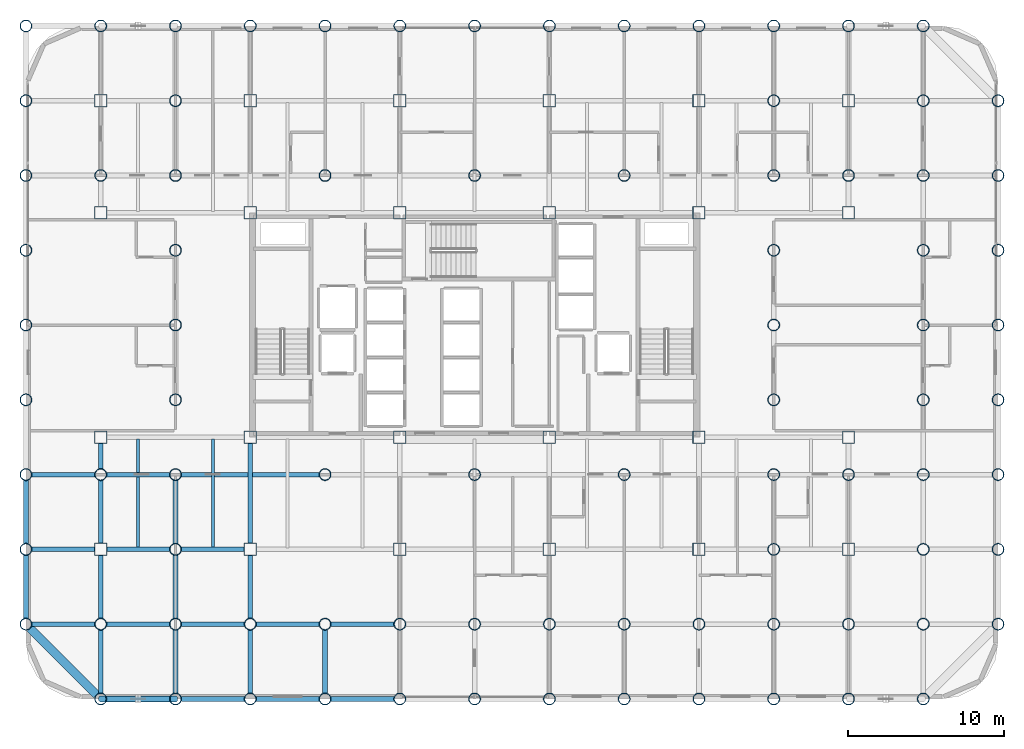
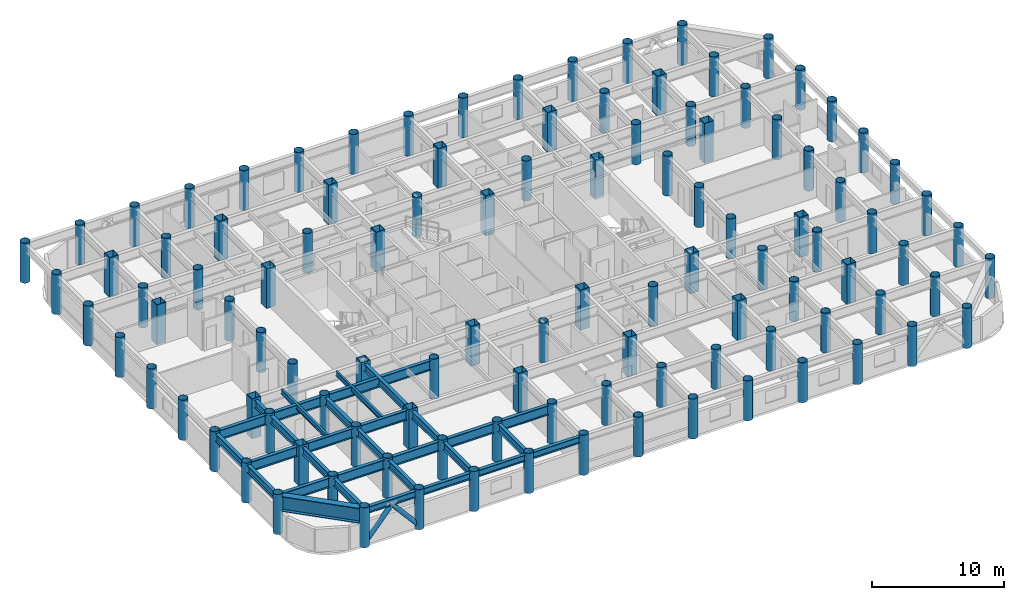
# One storey, part 1 of 20: 108 columns, 31 beams, 2 members.
"""IFC4 building model written with IfcOpenShell, lengths in metres."""

from ifc_helpers import new_model, si_unit, direction, frame, origin, origin_2d, place, context, subcontext, project, spatial, hollow_rectangle, hollow_circle, i_section, extrude, material, material_profile, profile_set, type_object, element, save


model = new_model("IFC4")

# Units and contexts
model_context = context("Model", 3, precision=1e-05, world=origin(), true_north=direction((0.0, 1.0)))
body_context = subcontext(model_context, "Body", "Model", "MODEL_VIEW")
ifc_project = project(units=[si_unit("LENGTHUNIT", "METRE"), si_unit("AREAUNIT", "SQUARE_METRE"), si_unit("VOLUMEUNIT", "CUBIC_METRE"), si_unit("PLANEANGLEUNIT", "RADIAN"), si_unit("MASSUNIT", "GRAM", prefix="KILO")], contexts=[model_context])

# Site, building, storey
site_placement = place(None, origin())
site = spatial("IfcSite", under=ifc_project, at=site_placement, CompositionType="ELEMENT")
building_placement = place(site_placement, origin())
building = spatial("IfcBuilding", under=site, at=building_placement, Name="Kallvorn Hotel Tower", CompositionType="ELEMENT")
storey_placement = place(building_placement, frame((0.0, 0.0, 78.10009765625)))
storey = spatial("IfcBuildingStorey", under=building, at=storey_placement, Name="L18", CompositionType="ELEMENT", Elevation=78.10009765625)

# Columns
ifc_material_1 = material(Name="Structural steel S355J2H", Category="steel")
ifc_material_profile_1 = material_profile(ifc_material_1, hollow_circle(Radius=0.381103515625, WallThickness=0.031982421875, at=origin_2d()), Name="CHS 762x32")
ifc_profile_set_1 = profile_set([ifc_material_profile_1], Name="Structural steel S355J2H")
column_type_1 = type_object("IfcColumnType", Name="COL_CHS_762", PredefinedType="COLUMN", material=ifc_profile_set_1)
for number, where, z_axis, x_axis, name in (
    (1, (-28.800048828125, -19.199951171875, 0.0), (0.0, 0.0, 1.0), (1.0, 0.0, 0.0), "L18 Exoskeleton Column EC01"),
    (2, (-28.800048828125, -14.39990234375, 0.0), (0.0, 0.0, 1.0), (1.0, 0.0, 0.0), "L18 Exoskeleton Column EC02"),
    (3, (-28.800048828125, -9.60009765625, 0.0), (0.0, 0.0, 1.0), (1.0, 0.0, 0.0), "L18 Exoskeleton Column EC03"),
    (4, (-28.800048828125, -4.800048828125, 0.0), (0.0, 0.0, 1.0), (1.0, 0.0, 0.0), "L18 Exoskeleton Column EC04"),
    (5, (-28.800048828125, 0.0, 0.0), (0.0, 0.0, 1.0), (1.0, 0.0, 0.0), "L18 Exoskeleton Column EC05"),
    (6, (-28.800048828125, 4.800048828125, 0.0), (0.0, 0.0, 1.0), (1.0, 0.0, 0.0), "L18 Exoskeleton Column EC06"),
    (7, (-28.800048828125, 9.60009765625, 0.0), (0.0, 0.0, 1.0), (1.0, 0.0, 0.0), "L18 Exoskeleton Column EC07"),
    (8, (-28.800048828125, 14.39990234375, 0.0), (0.0, 0.0, 1.0), (1.0, 0.0, 0.0), "L18 Exoskeleton Column EC08"),
    (9, (-28.800048828125, 19.199951171875, 0.0), (0.0, 0.0, 1.0), (1.0, 0.0, 0.0), "L18 Exoskeleton Column EC09"),
    (10, (-24.0, -24.0, 0.0), (0.0, 0.0, 1.0), (1.0, 0.0, 0.0), "L18 Exoskeleton Column EC10"),
    (11, (-24.0, -19.199951171875, 0.0), (0.0, 0.0, 1.0), (1.0, 0.0, 0.0), "L18 Exoskeleton Column EC11"),
    (12, (-24.0, -9.60009765625, 0.0), (0.0, 0.0, 1.0), (1.0, 0.0, 0.0), "L18 Exoskeleton Column EC12"),
    (13, (-24.0, 9.60009765625, 0.0), (0.0, 0.0, 1.0), (1.0, 0.0, 0.0), "L18 Exoskeleton Column EC13"),
    (14, (-24.0, 19.199951171875, 0.0), (0.0, 0.0, 1.0), (1.0, 0.0, 0.0), "L18 Exoskeleton Column EC14"),
    (15, (-19.199951171875, -24.0, 0.0), (0.0, 0.0, 1.0), (1.0, 0.0, 0.0), "L18 Exoskeleton Column EC15"),
    (16, (-19.199951171875, -19.199951171875, 0.0), (0.0, 0.0, 1.0), (1.0, 0.0, 0.0), "L18 Exoskeleton Column EC16"),
    (17, (-19.199951171875, -14.39990234375, 0.0), (0.0, 0.0, 1.0), (1.0, 0.0, 0.0), "L18 Exoskeleton Column EC17"),
    (18, (-19.199951171875, -9.60009765625, 0.0), (0.0, 0.0, 1.0), (1.0, 0.0, 0.0), "L18 Exoskeleton Column EC18"),
    (19, (-19.199951171875, -4.800048828125, 0.0), (0.0, 0.0, 1.0), (1.0, 0.0, 0.0), "L18 Exoskeleton Column EC19"),
    (20, (-19.199951171875, 0.0, 0.0), (0.0, 0.0, 1.0), (1.0, 0.0, 0.0), "L18 Exoskeleton Column EC20"),
    (21, (-19.199951171875, 4.800048828125, 0.0), (0.0, 0.0, 1.0), (1.0, 0.0, 0.0), "L18 Exoskeleton Column EC21"),
    (22, (-19.199951171875, 9.60009765625, 0.0), (0.0, 0.0, 1.0), (1.0, 0.0, 0.0), "L18 Exoskeleton Column EC22"),
    (23, (-19.199951171875, 14.39990234375, 0.0), (0.0, 0.0, 1.0), (1.0, 0.0, 0.0), "L18 Exoskeleton Column EC23"),
    (24, (-19.199951171875, 19.199951171875, 0.0), (0.0, 0.0, 1.0), (1.0, 0.0, 0.0), "L18 Exoskeleton Column EC24"),
    (25, (-14.39990234375, -24.0, 0.0), (0.0, 0.0, 1.0), (1.0, 0.0, 0.0), "L18 Exoskeleton Column EC25"),
    (26, (-14.39990234375, -19.199951171875, 0.0), (0.0, 0.0, 1.0), (1.0, 0.0, 0.0), "L18 Exoskeleton Column EC26"),
    (27, (-14.39990234375, 19.199951171875, 0.0), (0.0, 0.0, 1.0), (1.0, 0.0, 0.0), "L18 Exoskeleton Column EC27"),
    (28, (-9.60009765625, -24.0, 0.0), (0.0, 0.0, 1.0), (1.0, 0.0, 0.0), "L18 Exoskeleton Column EC28"),
    (29, (-9.60009765625, -19.199951171875, 0.0), (0.0, 0.0, 1.0), (1.0, 0.0, 0.0), "L18 Exoskeleton Column EC29"),
    (30, (-9.60009765625, -9.60009765625, 0.0), (0.0, 0.0, 1.0), (1.0, 0.0, 0.0), "L18 Exoskeleton Column EC30"),
    (31, (-9.60009765625, 9.60009765625, 0.0), (0.0, 0.0, 1.0), (1.0, 0.0, 0.0), "L18 Exoskeleton Column EC31"),
    (32, (-9.60009765625, 19.199951171875, 0.0), (0.0, 0.0, 1.0), (1.0, 0.0, 0.0), "L18 Exoskeleton Column EC32"),
    (33, (-4.800048828125, -24.0, 0.0), (0.0, 0.0, 1.0), (1.0, 0.0, 0.0), "L18 Exoskeleton Column EC33"),
    (34, (-4.800048828125, -19.199951171875, 0.0), (0.0, 0.0, 1.0), (1.0, 0.0, 0.0), "L18 Exoskeleton Column EC34"),
    (35, (-4.800048828125, 19.199951171875, 0.0), (0.0, 0.0, 1.0), (1.0, 0.0, 0.0), "L18 Exoskeleton Column EC35"),
    (36, (0.0, -24.0, 0.0), (0.0, 0.0, 1.0), (1.0, 0.0, 0.0), "L18 Exoskeleton Column EC36"),
    (37, (0.0, -19.199951171875, 0.0), (0.0, 0.0, 1.0), (1.0, 0.0, 0.0), "L18 Exoskeleton Column EC37"),
    (38, (0.0, -9.60009765625, 0.0), (0.0, 0.0, 1.0), (1.0, 0.0, 0.0), "L18 Exoskeleton Column EC38"),
    (39, (0.0, 9.60009765625, 0.0), (0.0, 0.0, 1.0), (1.0, 0.0, 0.0), "L18 Exoskeleton Column EC39"),
    (40, (0.0, 19.199951171875, 0.0), (0.0, 0.0, 1.0), (1.0, 0.0, 0.0), "L18 Exoskeleton Column EC40"),
    (41, (4.800048828125, -24.0, 0.0), (0.0, 0.0, 1.0), (1.0, 0.0, 0.0), "L18 Exoskeleton Column EC41"),
    (42, (4.800048828125, -19.199951171875, 0.0), (0.0, 0.0, 1.0), (1.0, 0.0, 0.0), "L18 Exoskeleton Column EC42"),
    (43, (4.800048828125, 19.199951171875, 0.0), (0.0, 0.0, 1.0), (1.0, 0.0, 0.0), "L18 Exoskeleton Column EC43"),
    (44, (9.60009765625, -24.0, 0.0), (0.0, 0.0, 1.0), (1.0, 0.0, 0.0), "L18 Exoskeleton Column EC44"),
    (45, (9.60009765625, -19.199951171875, 0.0), (0.0, 0.0, 1.0), (1.0, 0.0, 0.0), "L18 Exoskeleton Column EC45"),
    (46, (9.60009765625, -9.60009765625, 0.0), (0.0, 0.0, 1.0), (1.0, 0.0, 0.0), "L18 Exoskeleton Column EC46"),
    (47, (9.60009765625, 9.60009765625, 0.0), (0.0, 0.0, 1.0), (1.0, 0.0, 0.0), "L18 Exoskeleton Column EC47"),
    (48, (9.60009765625, 19.199951171875, 0.0), (0.0, 0.0, 1.0), (1.0, 0.0, 0.0), "L18 Exoskeleton Column EC48"),
    (49, (14.39990234375, -24.0, 0.0), (0.0, 0.0, 1.0), (1.0, 0.0, 0.0), "L18 Exoskeleton Column EC49"),
    (50, (14.39990234375, -19.199951171875, 0.0), (0.0, 0.0, 1.0), (1.0, 0.0, 0.0), "L18 Exoskeleton Column EC50"),
    (51, (14.39990234375, 19.199951171875, 0.0), (0.0, 0.0, 1.0), (1.0, 0.0, 0.0), "L18 Exoskeleton Column EC51"),
    (52, (19.199951171875, -24.0, 0.0), (0.0, 0.0, 1.0), (1.0, 0.0, 0.0), "L18 Exoskeleton Column EC52"),
    (53, (19.199951171875, -19.199951171875, 0.0), (0.0, 0.0, 1.0), (1.0, 0.0, 0.0), "L18 Exoskeleton Column EC53"),
    (54, (19.199951171875, -14.39990234375, 0.0), (0.0, 0.0, 1.0), (1.0, 0.0, 0.0), "L18 Exoskeleton Column EC54"),
    (55, (19.199951171875, -9.60009765625, 0.0), (0.0, 0.0, 1.0), (1.0, 0.0, 0.0), "L18 Exoskeleton Column EC55"),
    (56, (19.199951171875, -4.800048828125, 0.0), (0.0, 0.0, 1.0), (1.0, 0.0, 0.0), "L18 Exoskeleton Column EC56"),
    (57, (19.199951171875, 0.0, 0.0), (0.0, 0.0, 1.0), (1.0, 0.0, 0.0), "L18 Exoskeleton Column EC57"),
    (58, (19.199951171875, 4.800048828125, 0.0), (0.0, 0.0, 1.0), (1.0, 0.0, 0.0), "L18 Exoskeleton Column EC58"),
    (59, (19.199951171875, 9.60009765625, 0.0), (0.0, 0.0, 1.0), (1.0, 0.0, 0.0), "L18 Exoskeleton Column EC59"),
    (60, (19.199951171875, 14.39990234375, 0.0), (0.0, 0.0, 1.0), (1.0, 0.0, 0.0), "L18 Exoskeleton Column EC60"),
    (61, (19.199951171875, 19.199951171875, 0.0), (0.0, 0.0, 1.0), (1.0, 0.0, 0.0), "L18 Exoskeleton Column EC61"),
    (62, (24.0, -24.0, 0.0), (0.0, 0.0, 1.0), (1.0, 0.0, 0.0), "L18 Exoskeleton Column EC62"),
    (63, (24.0, -19.199951171875, 0.0), (0.0, 0.0, 1.0), (1.0, 0.0, 0.0), "L18 Exoskeleton Column EC63"),
    (64, (24.0, -9.60009765625, 0.0), (0.0, 0.0, 1.0), (1.0, 0.0, 0.0), "L18 Exoskeleton Column EC64"),
    (65, (24.0, 9.60009765625, 0.0), (0.0, 0.0, 1.0), (1.0, 0.0, 0.0), "L18 Exoskeleton Column EC65"),
    (66, (24.0, 19.199951171875, 0.0), (0.0, 0.0, 1.0), (1.0, 0.0, 0.0), "L18 Exoskeleton Column EC66"),
    (67, (28.800048828125, -24.0, 0.0), (0.0, 0.0, 1.0), (1.0, 0.0, 0.0), "L18 Exoskeleton Column EC67"),
    (68, (28.800048828125, -19.199951171875, 0.0), (0.0, 0.0, 1.0), (1.0, 0.0, 0.0), "L18 Exoskeleton Column EC68"),
    (69, (28.800048828125, -14.39990234375, 0.0), (0.0, 0.0, 1.0), (1.0, 0.0, 0.0), "L18 Exoskeleton Column EC69"),
    (70, (28.800048828125, -9.60009765625, 0.0), (0.0, 0.0, 1.0), (1.0, 0.0, 0.0), "L18 Exoskeleton Column EC70"),
    (71, (28.800048828125, -4.800048828125, 0.0), (0.0, 0.0, 1.0), (1.0, 0.0, 0.0), "L18 Exoskeleton Column EC71"),
    (72, (28.800048828125, 0.0, 0.0), (0.0, 0.0, 1.0), (1.0, 0.0, 0.0), "L18 Exoskeleton Column EC72"),
    (73, (28.800048828125, 4.800048828125, 0.0), (0.0, 0.0, 1.0), (1.0, 0.0, 0.0), "L18 Exoskeleton Column EC73"),
    (74, (28.800048828125, 9.60009765625, 0.0), (0.0, 0.0, 1.0), (1.0, 0.0, 0.0), "L18 Exoskeleton Column EC74"),
    (75, (28.800048828125, 14.39990234375, 0.0), (0.0, 0.0, 1.0), (1.0, 0.0, 0.0), "L18 Exoskeleton Column EC75"),
    (76, (28.800048828125, 19.199951171875, 0.0), (0.0, 0.0, 1.0), (1.0, 0.0, 0.0), "L18 Exoskeleton Column EC76"),
    (77, (33.60009765625, -19.199951171875, 0.0), (0.0, 0.0, 1.0), (1.0, 0.0, 0.0), "L18 Exoskeleton Column EC77"),
    (78, (33.60009765625, -14.39990234375, 0.0), (0.0, 0.0, 1.0), (1.0, 0.0, 0.0), "L18 Exoskeleton Column EC78"),
    (79, (33.60009765625, -9.60009765625, 0.0), (0.0, 0.0, 1.0), (1.0, 0.0, 0.0), "L18 Exoskeleton Column EC79"),
    (80, (33.60009765625, -4.800048828125, 0.0), (0.0, 0.0, 1.0), (1.0, 0.0, 0.0), "L18 Exoskeleton Column EC80"),
    (81, (33.60009765625, 0.0, 0.0), (0.0, 0.0, 1.0), (1.0, 0.0, 0.0), "L18 Exoskeleton Column EC81"),
    (82, (33.60009765625, 4.800048828125, 0.0), (0.0, 0.0, 1.0), (1.0, 0.0, 0.0), "L18 Exoskeleton Column EC82"),
    (83, (33.60009765625, 9.60009765625, 0.0), (0.0, 0.0, 1.0), (1.0, 0.0, 0.0), "L18 Exoskeleton Column EC83"),
    (84, (33.60009765625, 14.39990234375, 0.0), (0.0, 0.0, 1.0), (1.0, 0.0, 0.0), "L18 Exoskeleton Column EC84"),
):
    element("IfcColumn", number, at=place(storey_placement, frame(where, z_axis=z_axis, x_axis=x_axis)), inside=storey, type_object=column_type_1, Name=name, PredefinedType="COLUMN", context=body_context, shape_type="SweptSolid", body=[
        extrude(hollow_circle(Radius=0.381103515625, WallThickness=0.031982421875, at=origin_2d()), origin(), (0.0, 0.0, 1.0), 3.699951171875),
    ])
ifc_material_2 = material(Name="Structural steel S355J2H", Category="steel")
ifc_material_profile_2 = material_profile(ifc_material_2, hollow_rectangle(XDim=0.800048828125, YDim=0.800048828125, WallThickness=0.035888671875, at=origin_2d()), Name="RHS 800x800x36")
ifc_profile_set_2 = profile_set([ifc_material_profile_2], Name="Structural steel S355J2H")
column_type_2 = type_object("IfcColumnType", Name="COL_RHS_800", PredefinedType="COLUMN", material=ifc_profile_set_2)
for number, where, z_axis, x_axis, name in (
    (85, (-24.0, -14.39990234375, 0.0), (0.0, 0.0, 1.0), (1.0, 0.0, 0.0), "L18 Inner Column IC01"),
    (86, (-24.0, -7.199951171875, 0.0), (0.0, 0.0, 1.0), (1.0, 0.0, 0.0), "L18 Inner Column IC02"),
    (87, (-24.0, 7.199951171875, 0.0), (0.0, 0.0, 1.0), (1.0, 0.0, 0.0), "L18 Inner Column IC03"),
    (88, (-24.0, 14.39990234375, 0.0), (0.0, 0.0, 1.0), (1.0, 0.0, 0.0), "L18 Inner Column IC04"),
    (89, (-14.39990234375, -14.39990234375, 0.0), (0.0, 0.0, 1.0), (1.0, 0.0, 0.0), "L18 Inner Column IC05"),
    (90, (-14.39990234375, -7.199951171875, 0.0), (0.0, 0.0, 1.0), (1.0, 0.0, 0.0), "L18 Inner Column IC06"),
    (91, (-14.39990234375, 7.199951171875, 0.0), (0.0, 0.0, 1.0), (1.0, 0.0, 0.0), "L18 Inner Column IC07"),
    (92, (-14.39990234375, 14.39990234375, 0.0), (0.0, 0.0, 1.0), (1.0, 0.0, 0.0), "L18 Inner Column IC08"),
    (93, (-4.800048828125, -14.39990234375, 0.0), (0.0, 0.0, 1.0), (1.0, 0.0, 0.0), "L18 Inner Column IC09"),
    (94, (-4.800048828125, -7.199951171875, 0.0), (0.0, 0.0, 1.0), (1.0, 0.0, 0.0), "L18 Inner Column IC10"),
    (95, (-4.800048828125, 7.199951171875, 0.0), (0.0, 0.0, 1.0), (1.0, 0.0, 0.0), "L18 Inner Column IC11"),
    (96, (-4.800048828125, 14.39990234375, 0.0), (0.0, 0.0, 1.0), (1.0, 0.0, 0.0), "L18 Inner Column IC12"),
    (97, (4.800048828125, -14.39990234375, 0.0), (0.0, 0.0, 1.0), (1.0, 0.0, 0.0), "L18 Inner Column IC13"),
    (98, (4.800048828125, -7.199951171875, 0.0), (0.0, 0.0, 1.0), (1.0, 0.0, 0.0), "L18 Inner Column IC14"),
    (99, (4.800048828125, 7.199951171875, 0.0), (0.0, 0.0, 1.0), (1.0, 0.0, 0.0), "L18 Inner Column IC15"),
    (100, (4.800048828125, 14.39990234375, 0.0), (0.0, 0.0, 1.0), (1.0, 0.0, 0.0), "L18 Inner Column IC16"),
    (101, (14.39990234375, -14.39990234375, 0.0), (0.0, 0.0, 1.0), (1.0, 0.0, 0.0), "L18 Inner Column IC17"),
    (102, (14.39990234375, -7.199951171875, 0.0), (0.0, 0.0, 1.0), (1.0, 0.0, 0.0), "L18 Inner Column IC18"),
    (103, (14.39990234375, 7.199951171875, 0.0), (0.0, 0.0, 1.0), (1.0, 0.0, 0.0), "L18 Inner Column IC19"),
    (104, (14.39990234375, 14.39990234375, 0.0), (0.0, 0.0, 1.0), (1.0, 0.0, 0.0), "L18 Inner Column IC20"),
    (105, (24.0, -14.39990234375, 0.0), (0.0, 0.0, 1.0), (1.0, 0.0, 0.0), "L18 Inner Column IC21"),
    (106, (24.0, -7.199951171875, 0.0), (0.0, 0.0, 1.0), (1.0, 0.0, 0.0), "L18 Inner Column IC22"),
    (107, (24.0, 7.199951171875, 0.0), (0.0, 0.0, 1.0), (1.0, 0.0, 0.0), "L18 Inner Column IC23"),
    (108, (24.0, 14.39990234375, 0.0), (0.0, 0.0, 1.0), (1.0, 0.0, 0.0), "L18 Inner Column IC24"),
):
    element("IfcColumn", number, at=place(storey_placement, frame(where, z_axis=z_axis, x_axis=x_axis)), inside=storey, type_object=column_type_2, Name=name, PredefinedType="COLUMN", context=body_context, shape_type="SweptSolid", body=[
        extrude(hollow_rectangle(XDim=0.800048828125, YDim=0.800048828125, WallThickness=0.035888671875, at=origin_2d()), origin(), (0.0, 0.0, 1.0), 3.699951171875),
    ])

# Beams
ifc_material_3 = material(Name="Structural steel S355JR", Category="steel")
ifc_material_profile_3 = material_profile(ifc_material_3, i_section(OverallWidth=0.300048828125, OverallDepth=0.60009765625, WebThickness=0.015380859375, FlangeThickness=0.030029296875, at=origin_2d()), Name="HE 600 B")
ifc_profile_set_3 = profile_set([ifc_material_profile_3], Name="Structural steel S355JR")
beam_type_1 = type_object("IfcBeamType", Name="BM_HE600B", PredefinedType="SPANDREL", material=ifc_profile_set_3)
beam_1_placement = place(storey_placement, frame((-23.62890625, -24.0, 3.219970703125), z_axis=(1.0, 0.0, 0.0), x_axis=(0.0, 1.0, 0.0)))
element("IfcBeam", 109, at=beam_1_placement, inside=storey, type_object=beam_type_1, Name="L19 Perimeter Spandrel 151", PredefinedType="SPANDREL", context=body_context, shape_type="SweptSolid", body=[
    extrude(i_section(OverallWidth=0.300048828125, OverallDepth=0.60009765625, WebThickness=0.015380859375, FlangeThickness=0.030029296875, at=origin_2d()), origin(), (0.0, 0.0, 1.0), 4.057861328125),
])
for number, where, z_axis, x_axis, name in (
    (110, (-18.8291015625, -24.0, 3.219970703125), (1.0, 0.0, 0.0), (0.0, 1.0, 0.0), "L19 Perimeter Spandrel 152"),
    (111, (-14.029052734375, -24.0, 3.219970703125), (1.0, 0.0, 0.0), (0.0, 1.0, 0.0), "L19 Perimeter Spandrel 153"),
    (112, (-9.22900390625, -24.0, 3.219970703125), (1.0, 0.0, 0.0), (0.0, 1.0, 0.0), "L19 Perimeter Spandrel 154"),
):
    element("IfcBeam", number, at=place(storey_placement, frame(where, z_axis=z_axis, x_axis=x_axis)), inside=storey, type_object=beam_type_1, Name=name, PredefinedType="SPANDREL", context=body_context, shape_type="SweptSolid", body=[
        extrude(i_section(OverallWidth=0.300048828125, OverallDepth=0.60009765625, WebThickness=0.015380859375, FlangeThickness=0.030029296875, at=origin_2d()), origin(), (0.0, 0.0, 1.0), 4.05810546875),
    ])
ifc_material_4 = material(Name="Structural steel S355JR", Category="steel")
ifc_material_profile_4 = material_profile(ifc_material_4, i_section(OverallWidth=0.300048828125, OverallDepth=0.699951171875, WebThickness=0.01708984375, FlangeThickness=0.031982421875, at=origin_2d()), Name="HE 700 B")
ifc_profile_set_4 = profile_set([ifc_material_profile_4], Name="Structural steel S355JR")
beam_type_2 = type_object("IfcBeamType", Name="BM_HE700B", PredefinedType="BEAM", material=ifc_profile_set_4)
for number, where, z_axis, x_axis, name in (
    (113, (-28.800048828125, -18.843994140625, 3.169921875), (0.0, 1.0, 0.0), (-1.0, 0.0, 0.0), "L19 Primary Y-Girder 73"),
    (114, (-28.800048828125, -14.0439453125, 3.169921875), (0.0, 1.0, 0.0), (-1.0, 0.0, 0.0), "L19 Primary Y-Girder 74"),
):
    element("IfcBeam", number, at=place(storey_placement, frame(where, z_axis=z_axis, x_axis=x_axis)), inside=storey, type_object=beam_type_2, Name=name, PredefinedType="BEAM", context=body_context, shape_type="SweptSolid", body=[
        extrude(i_section(OverallWidth=0.300048828125, OverallDepth=0.699951171875, WebThickness=0.01708984375, FlangeThickness=0.031982421875, at=origin_2d()), origin(), (0.0, 0.0, 1.0), 4.087890625),
    ])
beam_2_placement = place(storey_placement, frame((-24.0, -23.64404296875, 3.169921875), z_axis=(0.0, 1.0, 0.0), x_axis=(-1.0, 0.0, 0.0)))
element("IfcBeam", 115, at=beam_2_placement, inside=storey, type_object=beam_type_2, Name="L19 Primary Y-Girder 81", PredefinedType="BEAM", context=body_context, shape_type="SweptSolid", body=[
    extrude(i_section(OverallWidth=0.300048828125, OverallDepth=0.699951171875, WebThickness=0.01708984375, FlangeThickness=0.031982421875, at=origin_2d()), origin(), (0.0, 0.0, 1.0), 4.088134765625),
])
beam_3_placement = place(storey_placement, frame((-24.0, -18.843994140625, 3.169921875), z_axis=(0.0, 1.0, 0.0), x_axis=(-1.0, 0.0, 0.0)))
element("IfcBeam", 116, at=beam_3_placement, inside=storey, type_object=beam_type_2, Name="L19 Primary Y-Girder 82", PredefinedType="BEAM", context=body_context, shape_type="SweptSolid", body=[
    extrude(i_section(OverallWidth=0.300048828125, OverallDepth=0.699951171875, WebThickness=0.01708984375, FlangeThickness=0.031982421875, at=origin_2d()), origin(), (0.0, 0.0, 1.0), 4.069091796875),
])
beam_4_placement = place(storey_placement, frame((-24.0, -14.02490234375, 3.169921875), z_axis=(0.0, 1.0, 0.0), x_axis=(-1.0, 0.0, 0.0)))
element("IfcBeam", 117, at=beam_4_placement, inside=storey, type_object=beam_type_2, Name="L19 Primary Y-Girder 83", PredefinedType="BEAM", context=body_context, shape_type="SweptSolid", body=[
    extrude(i_section(OverallWidth=0.300048828125, OverallDepth=0.699951171875, WebThickness=0.01708984375, FlangeThickness=0.031982421875, at=origin_2d()), origin(), (0.0, 0.0, 1.0), 4.06884765625),
])
beam_5_placement = place(storey_placement, frame((-24.0, -9.243896484375, 3.169921875), z_axis=(0.0, 1.0, 0.0), x_axis=(-1.0, 0.0, 0.0)))
element("IfcBeam", 118, at=beam_5_placement, inside=storey, type_object=beam_type_2, Name="L19 Primary Y-Girder 84", PredefinedType="BEAM", context=body_context, shape_type="SweptSolid", body=[
    extrude(i_section(OverallWidth=0.300048828125, OverallDepth=0.699951171875, WebThickness=0.01708984375, FlangeThickness=0.031982421875, at=origin_2d()), origin(), (0.0, 0.0, 1.0), 1.6689453125),
])
beam_6_placement = place(storey_placement, frame((-19.199951171875, -23.64404296875, 3.169921875), z_axis=(0.0, 1.0, 0.0), x_axis=(-1.0, 0.0, 0.0)))
element("IfcBeam", 119, at=beam_6_placement, inside=storey, type_object=beam_type_2, Name="L19 Primary Y-Girder 88", PredefinedType="BEAM", context=body_context, shape_type="SweptSolid", body=[
    extrude(i_section(OverallWidth=0.300048828125, OverallDepth=0.699951171875, WebThickness=0.01708984375, FlangeThickness=0.031982421875, at=origin_2d()), origin(), (0.0, 0.0, 1.0), 4.088134765625),
])
for number, where, z_axis, x_axis, name in (
    (120, (-19.199951171875, -18.843994140625, 3.169921875), (0.0, 1.0, 0.0), (-1.0, 0.0, 0.0), "L19 Primary Y-Girder 89"),
    (121, (-19.199951171875, -14.0439453125, 3.169921875), (0.0, 1.0, 0.0), (-1.0, 0.0, 0.0), "L19 Primary Y-Girder 90"),
):
    element("IfcBeam", number, at=place(storey_placement, frame(where, z_axis=z_axis, x_axis=x_axis)), inside=storey, type_object=beam_type_2, Name=name, PredefinedType="BEAM", context=body_context, shape_type="SweptSolid", body=[
        extrude(i_section(OverallWidth=0.300048828125, OverallDepth=0.699951171875, WebThickness=0.01708984375, FlangeThickness=0.031982421875, at=origin_2d()), origin(), (0.0, 0.0, 1.0), 4.087890625),
    ])
beam_7_placement = place(storey_placement, frame((-14.39990234375, -23.64404296875, 3.169921875), z_axis=(0.0, 1.0, 0.0), x_axis=(-1.0, 0.0, 0.0)))
element("IfcBeam", 122, at=beam_7_placement, inside=storey, type_object=beam_type_2, Name="L19 Primary Y-Girder 97", PredefinedType="BEAM", context=body_context, shape_type="SweptSolid", body=[
    extrude(i_section(OverallWidth=0.300048828125, OverallDepth=0.699951171875, WebThickness=0.01708984375, FlangeThickness=0.031982421875, at=origin_2d()), origin(), (0.0, 0.0, 1.0), 4.088134765625),
])
beam_8_placement = place(storey_placement, frame((-14.39990234375, -18.843994140625, 3.169921875), z_axis=(0.0, 1.0, 0.0), x_axis=(-1.0, 0.0, 0.0)))
element("IfcBeam", 123, at=beam_8_placement, inside=storey, type_object=beam_type_2, Name="L19 Primary Y-Girder 98", PredefinedType="BEAM", context=body_context, shape_type="SweptSolid", body=[
    extrude(i_section(OverallWidth=0.300048828125, OverallDepth=0.699951171875, WebThickness=0.01708984375, FlangeThickness=0.031982421875, at=origin_2d()), origin(), (0.0, 0.0, 1.0), 4.069091796875),
])
beam_9_placement = place(storey_placement, frame((-14.39990234375, -14.02490234375, 3.169921875), z_axis=(0.0, 1.0, 0.0), x_axis=(-1.0, 0.0, 0.0)))
element("IfcBeam", 124, at=beam_9_placement, inside=storey, type_object=beam_type_2, Name="L19 Primary Y-Girder 99", PredefinedType="BEAM", context=body_context, shape_type="SweptSolid", body=[
    extrude(i_section(OverallWidth=0.300048828125, OverallDepth=0.699951171875, WebThickness=0.01708984375, FlangeThickness=0.031982421875, at=origin_2d()), origin(), (0.0, 0.0, 1.0), 6.449951171875),
])
beam_10_placement = place(storey_placement, frame((-9.60009765625, -23.64404296875, 3.169921875), z_axis=(0.0, 1.0, 0.0), x_axis=(-1.0, 0.0, 0.0)))
element("IfcBeam", 125, at=beam_10_placement, inside=storey, type_object=beam_type_2, Name="L19 Primary Y-Girder 102", PredefinedType="BEAM", context=body_context, shape_type="SweptSolid", body=[
    extrude(i_section(OverallWidth=0.300048828125, OverallDepth=0.699951171875, WebThickness=0.01708984375, FlangeThickness=0.031982421875, at=origin_2d()), origin(), (0.0, 0.0, 1.0), 4.088134765625),
])
ifc_material_5 = material(Name="Structural steel S355JR", Category="steel")
ifc_material_profile_5 = material_profile(ifc_material_5, i_section(OverallWidth=0.300048828125, OverallDepth=0.89990234375, WebThickness=0.0185546875, FlangeThickness=0.034912109375, at=origin_2d()), Name="HE 900 B")
ifc_profile_set_5 = profile_set([ifc_material_profile_5], Name="Structural steel S355JR")
beam_type_3 = type_object("IfcBeamType", Name="BM_HE900B", PredefinedType="BEAM", material=ifc_profile_set_5)
for number, where, z_axis, x_axis, name in (
    (126, (-28.444091796875, -19.199951171875, 3.06982421875), (1.0, 0.0, 0.0), (0.0, 1.0, 0.0), "L19 Primary X-Girder 01"),
    (127, (-23.64404296875, -19.199951171875, 3.06982421875), (1.0, 0.0, 0.0), (0.0, 1.0, 0.0), "L19 Primary X-Girder 02"),
):
    element("IfcBeam", number, at=place(storey_placement, frame(where, z_axis=z_axis, x_axis=x_axis)), inside=storey, type_object=beam_type_3, Name=name, PredefinedType="BEAM", context=body_context, shape_type="SweptSolid", body=[
        extrude(i_section(OverallWidth=0.300048828125, OverallDepth=0.89990234375, WebThickness=0.0185546875, FlangeThickness=0.034912109375, at=origin_2d()), origin(), (0.0, 0.0, 1.0), 4.088134765625),
    ])
for number, where, z_axis, x_axis, name in (
    (128, (-18.843994140625, -19.199951171875, 3.06982421875), (1.0, 0.0, 0.0), (0.0, 1.0, 0.0), "L19 Primary X-Girder 03"),
    (129, (-14.0439453125, -19.199951171875, 3.06982421875), (1.0, 0.0, 0.0), (0.0, 1.0, 0.0), "L19 Primary X-Girder 04"),
    (130, (-9.243896484375, -19.199951171875, 3.06982421875), (1.0, 0.0, 0.0), (0.0, 1.0, 0.0), "L19 Primary X-Girder 05"),
):
    element("IfcBeam", number, at=place(storey_placement, frame(where, z_axis=z_axis, x_axis=x_axis)), inside=storey, type_object=beam_type_3, Name=name, PredefinedType="BEAM", context=body_context, shape_type="SweptSolid", body=[
        extrude(i_section(OverallWidth=0.300048828125, OverallDepth=0.89990234375, WebThickness=0.0185546875, FlangeThickness=0.034912109375, at=origin_2d()), origin(), (0.0, 0.0, 1.0), 4.087890625),
    ])
for number, where, z_axis, x_axis, name in (
    (131, (-28.444091796875, -14.39990234375, 3.06982421875), (1.0, 0.0, 0.0), (0.0, 1.0, 0.0), "L19 Primary X-Girder 14"),
    (132, (-23.625, -14.39990234375, 3.06982421875), (1.0, 0.0, 0.0), (0.0, 1.0, 0.0), "L19 Primary X-Girder 15"),
    (133, (-18.843994140625, -14.39990234375, 3.06982421875), (1.0, 0.0, 0.0), (0.0, 1.0, 0.0), "L19 Primary X-Girder 16"),
):
    element("IfcBeam", number, at=place(storey_placement, frame(where, z_axis=z_axis, x_axis=x_axis)), inside=storey, type_object=beam_type_3, Name=name, PredefinedType="BEAM", context=body_context, shape_type="SweptSolid", body=[
        extrude(i_section(OverallWidth=0.300048828125, OverallDepth=0.89990234375, WebThickness=0.0185546875, FlangeThickness=0.034912109375, at=origin_2d()), origin(), (0.0, 0.0, 1.0), 4.069091796875),
    ])
for number, where, z_axis, x_axis, name in (
    (134, (-28.444091796875, -9.60009765625, 3.06982421875), (1.0, 0.0, 0.0), (0.0, 1.0, 0.0), "L19 Primary X-Girder 24"),
    (135, (-23.64404296875, -9.60009765625, 3.06982421875), (1.0, 0.0, 0.0), (0.0, 1.0, 0.0), "L19 Primary X-Girder 25"),
):
    element("IfcBeam", number, at=place(storey_placement, frame(where, z_axis=z_axis, x_axis=x_axis)), inside=storey, type_object=beam_type_3, Name=name, PredefinedType="BEAM", context=body_context, shape_type="SweptSolid", body=[
        extrude(i_section(OverallWidth=0.300048828125, OverallDepth=0.89990234375, WebThickness=0.0185546875, FlangeThickness=0.034912109375, at=origin_2d()), origin(), (0.0, 0.0, 1.0), 4.088134765625),
    ])
beam_11_placement = place(storey_placement, frame((-18.843994140625, -9.60009765625, 3.06982421875), z_axis=(1.0, 0.0, 0.0), x_axis=(0.0, 1.0, 0.0)))
element("IfcBeam", 136, at=beam_11_placement, inside=storey, type_object=beam_type_3, Name="L19 Primary X-Girder 26", PredefinedType="BEAM", context=body_context, shape_type="SweptSolid", body=[
    extrude(i_section(OverallWidth=0.300048828125, OverallDepth=0.89990234375, WebThickness=0.0185546875, FlangeThickness=0.034912109375, at=origin_2d()), origin(), (0.0, 0.0, 1.0), 8.887939453125),
])
ifc_material_6 = material(Name="Structural steel S355JR", Category="steel")
ifc_material_profile_6 = material_profile(ifc_material_6, i_section(OverallWidth=0.18994140625, OverallDepth=0.449951171875, WebThickness=0.009521484375, FlangeThickness=0.0146484375, at=origin_2d()), Name="IPE 450")
ifc_profile_set_6 = profile_set([ifc_material_profile_6], Name="Structural steel S355JR")
beam_type_4 = type_object("IfcBeamType", Name="BM_IPE450", PredefinedType="JOIST", material=ifc_profile_set_6)
for number, where, z_axis, x_axis, name in (
    (137, (-21.60009765625, -14.300048828125, 3.294921875), (0.0, 1.0, 0.0), (-1.0, 0.0, 0.0), "L19 Secondary Composite Joist 192"),
    (138, (-16.800048828125, -14.300048828125, 3.294921875), (0.0, 1.0, 0.0), (-1.0, 0.0, 0.0), "L19 Secondary Composite Joist 194"),
):
    element("IfcBeam", number, at=place(storey_placement, frame(where, z_axis=z_axis, x_axis=x_axis)), inside=storey, type_object=beam_type_4, Name=name, PredefinedType="JOIST", context=body_context, shape_type="SweptSolid", body=[
        extrude(i_section(OverallWidth=0.18994140625, OverallDepth=0.449951171875, WebThickness=0.009521484375, FlangeThickness=0.0146484375, at=origin_2d()), origin(), (0.0, 0.0, 1.0), 7.0),
    ])
ifc_material_7 = material(Name="Structural steel S355JR", Category="steel")
ifc_material_profile_7 = material_profile(ifc_material_7, i_section(OverallWidth=0.550048828125, OverallDepth=1.39990234375, WebThickness=0.02490234375, FlangeThickness=0.044921875, at=origin_2d()), Name="PG 1400x550x25x45")
ifc_profile_set_7 = profile_set([ifc_material_profile_7], Name="Structural steel S355JR")
beam_type_5 = type_object("IfcBeamType", Name="BM_PG_1400", PredefinedType="BEAM", material=ifc_profile_set_7)
beam_12_placement = place(storey_placement, frame((-28.53759765625, -19.46240234375, 2.81982421875), z_axis=(0.707106781187, -0.707106781187, 0.0), x_axis=(0.707106781187, 0.707106781187, 0.0)))
element("IfcBeam", 139, at=beam_12_placement, inside=storey, type_object=beam_type_5, Name="L19 Rounded Corner Tie Beam 189", PredefinedType="BEAM", context=body_context, shape_type="SweptSolid", body=[
    extrude(i_section(OverallWidth=0.550048828125, OverallDepth=1.39990234375, WebThickness=0.02490234375, FlangeThickness=0.044921875, at=origin_2d()), origin(), (0.0, 0.0, 1.0), 6.04638671875),
])

# Members
ifc_material_8 = material(Name="Structural steel S355J2H", Category="steel")
ifc_material_profile_8 = material_profile(ifc_material_8, hollow_circle(Radius=0.203125, WallThickness=0.01611328125, at=origin_2d()), Name="CHS 406.4x16")
ifc_profile_set_8 = profile_set([ifc_material_profile_8], Name="Structural steel S355J2H")
member_type = type_object("IfcMemberType", Name="MBR_EXO_CHS406", PredefinedType="BRACE", material=ifc_profile_set_8)
for number, where, z_axis, x_axis, name in (
    (140, (-23.98681640625, -24.0, 0.195068359375), (0.65346062529, 0.0, 0.756960508346), (0.0, 1.0, 0.0), "L18 Exoskeleton K-Brace S1A"),
    (141, (-19.213134765625, -24.0, 0.195068359375), (-0.65346062529, 0.0, 0.756960508346), (0.0, -1.0, 0.0), "L18 Exoskeleton K-Brace S1B"),
):
    element("IfcMember", number, at=place(storey_placement, frame(where, z_axis=z_axis, x_axis=x_axis)), inside=storey, type_object=member_type, Name=name, PredefinedType="BRACE", context=body_context, shape_type="SweptSolid", body=[
        extrude(hollow_circle(Radius=0.203125, WallThickness=0.01611328125, at=origin_2d()), origin(), (0.0, 0.0, 1.0), 3.632568359375),
    ])

save(model, "model.ifc")
